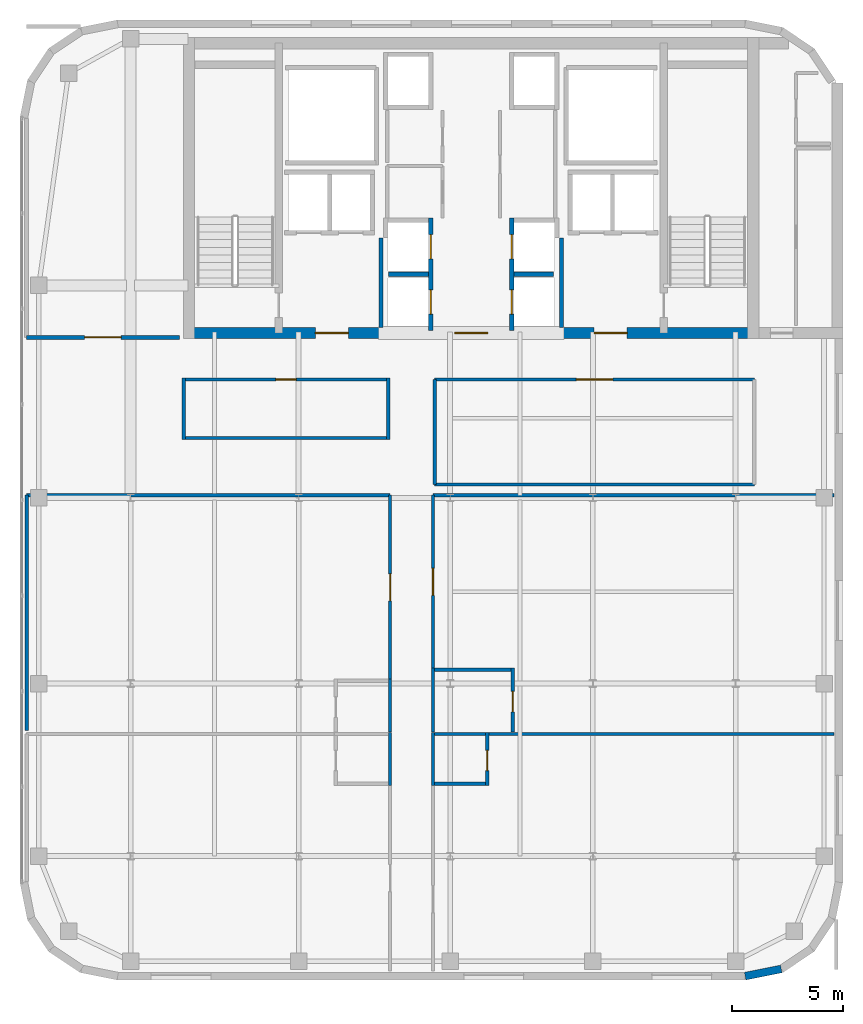
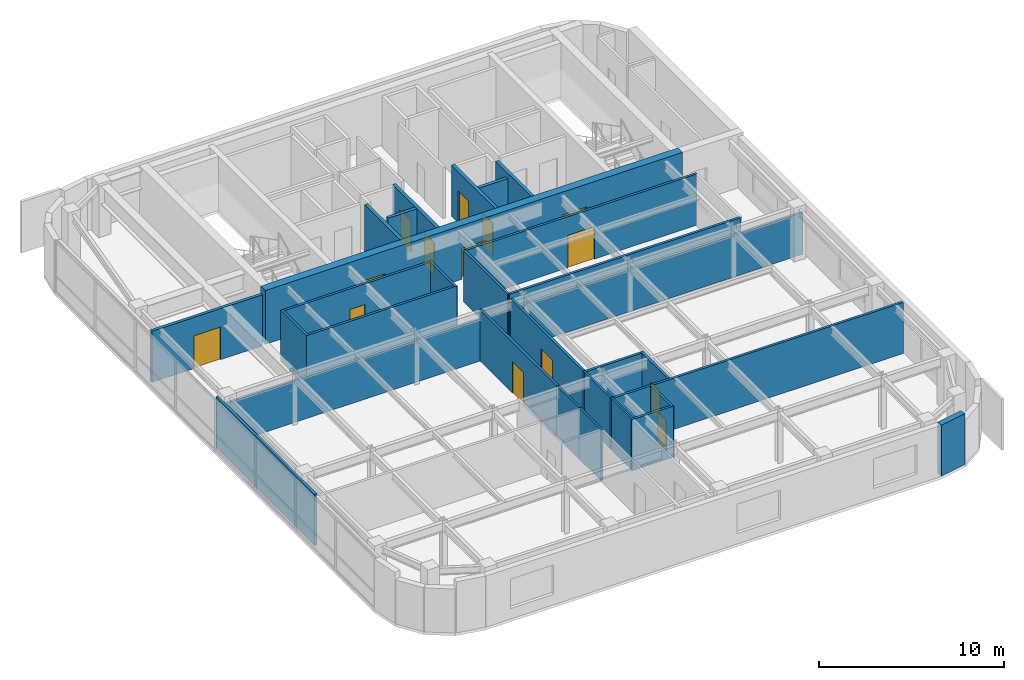
# One storey, part 15 of 19: 30 walls, 14 doors, 14 openings.
"""IFC4 building model written with IfcOpenShell, lengths in metres."""

import ifcopenshell
import ifcopenshell.guid

model = None  # the IFC model being written
_history = None  # IfcOwnerHistory: only IFC2X3 demands one
_inside = {}  # id of a spatial element -> (the spatial element, [elements in it])
_under = {}  # id of a project, library or spatial element -> (it, [spatial elements below it])
_declared = {}  # id of a project -> (the project, [libraries it declares])
_typed = {}  # id of a type object -> (the type object, [elements of that type])
_made_of = {}  # id of a material, layer set ... -> (it, [elements and type objects made of it])


def new_model(schema):
    """Start an empty IFC model of exactly this schema.

    Asked for "IFC4X3", IfcOpenShell would pick the latest addendum, in which some entities
    have other attributes; the version numbers below select the first issue.
    IFC2X3 requires an IfcOwnerHistory on every rooted entity: one is made here for all.
    """
    global model, _history
    if schema == "IFC4X3":
        model = ifcopenshell.file(schema_version=(4, 3, 0, 0))
    else:
        model = ifcopenshell.file(schema=schema)
    _inside.clear()
    _under.clear()
    _declared.clear()
    _typed.clear()
    _made_of.clear()
    _history = None
    if model.schema == "IFC2X3":
        org = make("IfcOrganization", Name="unknown")
        user = make(
            "IfcPersonAndOrganization",
            ThePerson=make("IfcPerson", FamilyName="unknown"),
            TheOrganization=org,
        )
        app = make(
            "IfcApplication",
            ApplicationDeveloper=org,
            Version="unknown",
            ApplicationFullName="unknown",
            ApplicationIdentifier="unknown",
        )
        _history = make(
            "IfcOwnerHistory",
            OwningUser=user,
            OwningApplication=app,
            ChangeAction="ADDED",
            CreationDate=0,
        )
    return model


def make(cls, **values):
    """One entity of the class cls with the attributes given. An attribute that is None is left unset."""
    return model.create_entity(
        cls, **{name: value for name, value in values.items() if value is not None}
    )


def rooted(cls, **values):
    """An entity with a GlobalId (a new one), such as an element, a storey or a relation."""
    return make(cls, GlobalId=ifcopenshell.guid.new(), OwnerHistory=_history, **values)


def si_unit(unit_type, name, prefix=None):
    """IfcSIUnit, for example si_unit("LENGTHUNIT", "METRE", prefix="MILLI")."""
    return make("IfcSIUnit", UnitType=unit_type, Prefix=prefix, Name=name)


def assignment(units):
    """IfcUnitAssignment: the units of a project."""
    return None if units is None else make("IfcUnitAssignment", Units=units)


def point(xyz):
    """IfcCartesianPoint."""
    return None if xyz is None else make("IfcCartesianPoint", Coordinates=xyz)


def direction(xyz):
    """IfcDirection."""
    return None if xyz is None else make("IfcDirection", DirectionRatios=xyz)


def frame(location, z_axis=None, x_axis=None):
    """IfcAxis2Placement3D, a coordinate frame: its origin and axes. An axis left out is left unset."""
    return make(
        "IfcAxis2Placement3D",
        Location=point(location),
        Axis=direction(z_axis),
        RefDirection=direction(x_axis),
    )


def frame_2d(location, x_axis=None):
    """IfcAxis2Placement2D, a coordinate frame in the plane: its origin and x axis."""
    return make(
        "IfcAxis2Placement2D", Location=point(location), RefDirection=direction(x_axis)
    )


def origin():
    """The frame at (0, 0, 0) with its axes left unset."""
    return frame((0.0, 0.0, 0.0))


def place(relative_to, where):
    """IfcLocalPlacement: puts the frame where relative to a parent placement (None: the world)."""
    return make(
        "IfcLocalPlacement", PlacementRelTo=relative_to, RelativePlacement=where
    )


def context(
    kind, dimensions, precision=None, world=None, true_north=None, identifier=None
):
    """IfcGeometricRepresentationContext, for example the 3D "Model" context."""
    return make(
        "IfcGeometricRepresentationContext",
        ContextIdentifier=identifier,
        ContextType=kind,
        CoordinateSpaceDimension=dimensions,
        Precision=precision,
        WorldCoordinateSystem=world,
        TrueNorth=true_north,
    )


def subcontext(parent, identifier, kind, view, scale=None):
    """IfcGeometricRepresentationSubContext, for example "Body" below "Model"."""
    return make(
        "IfcGeometricRepresentationSubContext",
        ContextIdentifier=identifier,
        ContextType=kind,
        ParentContext=parent,
        TargetScale=scale,
        TargetView=view,
    )


def project(units=None, contexts=None):
    """IfcProject with its units and contexts."""
    return rooted(
        "IfcProject",
        Name="project",
        RepresentationContexts=contexts,
        UnitsInContext=assignment(units),
    )


def spatial(cls, under=None, at=None, **own):
    """A site, building, storey or space (cls), placed at a placement, below another one or the project."""
    s = rooted(cls, ObjectPlacement=at, **own)
    if under is not None:
        _under.setdefault(under.id(), (under, []))[1].append(s)
    return s


def profile(cls, at=None, kind="AREA", **sizes):
    """A parametric profile (cls). Its sizes go by their IFC names, for example OverallWidth=200.0."""
    return make(cls, ProfileType=kind, Position=at, **sizes)


def rectangle(**sizes):
    """IfcRectangleProfileDef."""
    return profile("IfcRectangleProfileDef", **sizes)


def extrude(swept, where, along, depth):
    """IfcExtrudedAreaSolid: the profile swept, set in the frame where, extruded along a direction by depth."""
    return make(
        "IfcExtrudedAreaSolid",
        SweptArea=swept,
        Position=where,
        ExtrudedDirection=direction(along),
        Depth=depth,
    )


def shape(context_of_items, identifier, shape_type, items):
    """IfcShapeRepresentation: the items that make up one representation, for example the "Body"."""
    return make(
        "IfcShapeRepresentation",
        ContextOfItems=context_of_items,
        RepresentationIdentifier=identifier,
        RepresentationType=shape_type,
        Items=items,
    )


def source(mapping_origin, context_of_items, identifier, shape_type, items):
    """IfcRepresentationMap: a shape defined once, which mapped items show again and again."""
    return make(
        "IfcRepresentationMap",
        MappingOrigin=mapping_origin,
        MappedRepresentation=shape(context_of_items, identifier, shape_type, items),
    )


def transform(
    local_origin,
    x_axis=None,
    y_axis=None,
    z_axis=None,
    scale=None,
    scale2=None,
    scale3=None,
    uniform=True,
):
    """IfcCartesianTransformationOperator3D, or its non-uniform kind. x_axis, y_axis, z_axis: its Axis1, 2, 3."""
    if uniform:
        return make(
            "IfcCartesianTransformationOperator3D",
            Axis1=direction(x_axis),
            Axis2=direction(y_axis),
            LocalOrigin=point(local_origin),
            Scale=scale,
            Axis3=direction(z_axis),
        )
    return make(
        "IfcCartesianTransformationOperator3DnonUniform",
        Axis1=direction(x_axis),
        Axis2=direction(y_axis),
        LocalOrigin=point(local_origin),
        Scale=scale,
        Axis3=direction(z_axis),
        Scale2=scale2,
        Scale3=scale3,
    )


def mapped(mapping_source, mapping_target):
    """IfcMappedItem: shows the shape of a source again, moved by a transform."""
    return make(
        "IfcMappedItem", MappingSource=mapping_source, MappingTarget=mapping_target
    )


def material(Name=None, Category=None):
    """IfcMaterial."""
    return make("IfcMaterial", Name=Name, Category=Category)


def layer(
    of_material, thickness, ventilated=None, Name=None, Category=None, Priority=None
):
    """IfcMaterialLayer: one layer of a wall or slab, of a material (None: an air gap)."""
    return make(
        "IfcMaterialLayer",
        Material=of_material,
        LayerThickness=thickness,
        IsVentilated=ventilated,
        Name=Name,
        Category=Category,
        Priority=Priority,
    )


def layer_set(layers, Name=None):
    """IfcMaterialLayerSet."""
    return make("IfcMaterialLayerSet", MaterialLayers=layers, LayerSetName=Name)


def made_of(thing, what):
    """Note that an element or type object is made of a material, layer set ...; save() writes the relation."""
    if what is not None:
        _made_of.setdefault(what.id(), (what, []))[1].append(thing)
    return thing


def type_object(cls, material=None, **own):
    """A type object (cls), such as IfcWallType, which elements share."""
    return made_of(rooted(cls, **own), material)


def type_shapes(of_type, sources):
    """Give a type object the sources (RepresentationMaps) that its elements show as mapped items."""
    of_type.RepresentationMaps = sources


def element(
    cls,
    number,
    at=None,
    inside=None,
    cuts=None,
    type_object=None,
    material=None,
    context=None,
    identifier="Body",
    shape_type=None,
    held_by="IfcProductDefinitionShape",
    body=None,
    shapes=None,
    **own,
):
    """One element of the class cls, such as IfcWall. Its Tag is "e" and its number.

    at: its placement. inside: the storey or other place that contains it. cuts: it is an
    opening in that element (IfcRelVoidsElement). A single representation is given by context,
    identifier, shape_type and body (its items); several are given by shapes. held_by: the class
    of the entity that holds the representations. save() writes the other relations.
    """
    e = rooted(cls, Tag="e%d" % number, ObjectPlacement=at, **own)
    if body is not None:
        shapes = [shape(context, identifier, shape_type, body)]
    if shapes is not None:
        e.Representation = make(held_by, Representations=shapes)
    if inside is not None:
        _inside.setdefault(inside.id(), (inside, []))[1].append(e)
    if cuts is not None:
        rooted(
            "IfcRelVoidsElement", RelatingBuildingElement=cuts, RelatedOpeningElement=e
        )
    if type_object is not None:
        _typed.setdefault(type_object.id(), (type_object, []))[1].append(e)
    return made_of(e, material)


def fill(opening, filler):
    """IfcRelFillsElement: the door or window that sits in an opening."""
    return rooted(
        "IfcRelFillsElement",
        RelatingOpeningElement=opening,
        RelatedBuildingElement=filler,
    )


def aggregate(whole, parts):
    """IfcRelAggregates: a whole, such as a stair, and the parts it consists of."""
    return rooted("IfcRelAggregates", RelatingObject=whole, RelatedObjects=parts)


def save(model, path):
    """Write the relations noted so far, then the file.

    IfcRelAggregates (storeys below a building ...), IfcRelContainedInSpatialStructure (elements
    in a storey), IfcRelDefinesByType, IfcRelAssociatesMaterial and IfcRelDeclares: one each for
    every whole, place, type object, material and project.
    """
    for whole, parts in _under.values():
        aggregate(whole, parts)
    for where, things in _inside.values():
        rooted(
            "IfcRelContainedInSpatialStructure",
            RelatedElements=things,
            RelatingStructure=where,
        )
    for kind, things in _typed.values():
        rooted("IfcRelDefinesByType", RelatedObjects=things, RelatingType=kind)
    for what, things in _made_of.values():
        rooted("IfcRelAssociatesMaterial", RelatedObjects=things, RelatingMaterial=what)
    for by, libraries in _declared.values():
        rooted("IfcRelDeclares", RelatingContext=by, RelatedDefinitions=libraries)
    model.write(path)


model = new_model("IFC4")

# Units and contexts
model_context = context("Model", 3, precision=1e-05, world=origin(), true_north=direction((0.0, 1.0)))
body_context = subcontext(model_context, "Body", "Model", "MODEL_VIEW")
ifc_project = project(units=[si_unit("LENGTHUNIT", "METRE"), si_unit("AREAUNIT", "SQUARE_METRE"), si_unit("VOLUMEUNIT", "CUBIC_METRE"), si_unit("PLANEANGLEUNIT", "RADIAN"), si_unit("MASSUNIT", "GRAM", prefix="KILO")], contexts=[model_context])

# Site, building, storey
site_placement = place(None, origin())
site = spatial("IfcSite", under=ifc_project, at=site_placement, CompositionType="ELEMENT")
building_placement = place(site_placement, origin())
building = spatial("IfcBuilding", under=site, at=building_placement, Name="Tolvann Quenvar Hotel", CompositionType="ELEMENT")
storey_placement = place(building_placement, frame((0.0, 0.0, 223.89990234375)))
storey = spatial("IfcBuildingStorey", under=building, at=storey_placement, Name="L59", CompositionType="ELEMENT", Elevation=223.89990234375)

# Wall, openings, doors
ifc_material_1 = material(Name="Concrete N50 (50 MPa)", Category="concrete")
ifc_layer_1 = layer(ifc_material_1, 0.5)
ifc_layer_set_1 = layer_set([ifc_layer_1], Name="Concrete N50 (50 MPa)")
wall_type_1 = type_object("IfcWallType", Name="WALL_CORE_500", PredefinedType="SHEAR", material=ifc_layer_set_1)
wall_1_placement = place(storey_placement, frame((10.0, 31.85009765625, 0.0), z_axis=(0.0, 0.0, 1.0), x_axis=(1.0, 0.0, 0.0)))
wall_1 = element("IfcWall", 1, at=wall_1_placement, inside=storey, type_object=wall_type_1, Name="Rear Core S Shear Wall (L59)", PredefinedType="SHEAR", context=body_context, shape_type="SweptSolid", body=[
    extrude(rectangle(XDim=26.0, YDim=0.5, at=frame_2d((13.0, 0.0))), origin(), (0.0, 0.0, 1.0), 3.550048828125),
])
opening_1_placement = place(wall_1_placement, frame((7.449951171875, 0.0, 0.0), z_axis=(0.0, 0.0, 1.0), x_axis=(-1.0, 0.0, 0.0)))
opening_1 = element("IfcOpeningElement", 2, at=opening_1_placement, cuts=wall_1, Name="Opening FD-60D", PredefinedType="OPENING", context=body_context, shape_type="SweptSolid", body=[
    extrude(rectangle(XDim=1.5, YDim=2.0400390625, at=frame_2d((0.75, 1.02001953125))), frame((0.0, 0.260009765625, 0.0), z_axis=(0.0, -1.0, 0.0), x_axis=(1.0, 0.0, 0.0)), (0.0, 0.0, 1.0), 0.52001953125),
])
opening_2_placement = place(wall_1_placement, frame((13.75, 0.0, 0.0), z_axis=(0.0, 0.0, 1.0), x_axis=(-1.0, 0.0, 0.0)))
opening_2 = element("IfcOpeningElement", 3, at=opening_2_placement, cuts=wall_1, Name="Opening FD-60D", PredefinedType="OPENING", context=body_context, shape_type="SweptSolid", body=[
    extrude(rectangle(XDim=1.5, YDim=2.0400390625, at=frame_2d((0.75, 1.02001953125))), frame((0.0, 0.260009765625, 0.0), z_axis=(0.0, -1.0, 0.0), x_axis=(1.0, 0.0, 0.0)), (0.0, 0.0, 1.0), 0.52001953125),
])
opening_3_placement = place(wall_1_placement, frame((20.050048828125, 0.0, 0.0), z_axis=(0.0, 0.0, 1.0), x_axis=(-1.0, 0.0, 0.0)))
opening_3 = element("IfcOpeningElement", 4, at=opening_3_placement, cuts=wall_1, Name="Opening FD-60D", PredefinedType="OPENING", context=body_context, shape_type="SweptSolid", body=[
    extrude(rectangle(XDim=1.5, YDim=2.0400390625, at=frame_2d((0.75, 1.02001953125))), frame((0.0, 0.260009765625, 0.0), z_axis=(0.0, -1.0, 0.0), x_axis=(1.0, 0.0, 0.0)), (0.0, 0.0, 1.0), 0.52001953125),
])
ifc_material_2 = material(Name="Solid-core American oak acoustic fire door leaf in steel frame", Category="steel")
door_type_1 = type_object("IfcDoorType", Name="DOOR_FIRE_LOBBY_1500", OperationType="NOTDEFINED", PredefinedType="DOOR", material=ifc_material_2)
shared_shape_1 = source(origin(), body_context, "Body", "SweptSolid", [
    extrude(rectangle(XDim=1.5, YDim=2.0400390625, at=frame_2d((0.75, 1.02001953125))), frame((0.0, 0.02490234375, 0.0), z_axis=(0.0, -1.0, 0.0), x_axis=(1.0, 0.0, 0.0)), (0.0, 0.0, 1.0), 0.050048828125),
])
type_shapes(door_type_1, [shared_shape_1])
door_1_placement = place(opening_1_placement, origin())
door_1 = element("IfcDoor", 5, at=door_1_placement, inside=storey, type_object=door_type_1, Name="Core Lobby Fire Door FFW (L59)", OperationType="DOUBLE_DOOR_SINGLE_SWING", OverallHeight=2.0400390625, OverallWidth=1.5, PredefinedType="DOOR", context=body_context, shape_type="MappedRepresentation", body=[
    mapped(shared_shape_1, transform((0.0, 0.0, 0.0), x_axis=(1.0, 0.0, 0.0), y_axis=(0.0, 1.0, 0.0), z_axis=(0.0, 0.0, 1.0), scale=1.0)),
])
fill(opening_1, door_1)
door_2_placement = place(opening_2_placement, origin())
door_2 = element("IfcDoor", 6, at=door_2_placement, inside=storey, type_object=door_type_1, Name="Core Lobby Fire Door CLOB (L59)", OperationType="DOUBLE_DOOR_SINGLE_SWING", OverallHeight=2.0400390625, OverallWidth=1.5, PredefinedType="DOOR", context=body_context, shape_type="MappedRepresentation", body=[
    mapped(shared_shape_1, transform((0.0, 0.0, 0.0), x_axis=(1.0, 0.0, 0.0), y_axis=(0.0, 1.0, 0.0), z_axis=(0.0, 0.0, 1.0), scale=1.0)),
])
fill(opening_2, door_2)
door_3_placement = place(opening_3_placement, origin())
door_3 = element("IfcDoor", 7, at=door_3_placement, inside=storey, type_object=door_type_1, Name="Core Lobby Fire Door FFE (L59)", OperationType="DOUBLE_DOOR_SINGLE_SWING", OverallHeight=2.0400390625, OverallWidth=1.5, PredefinedType="DOOR", context=body_context, shape_type="MappedRepresentation", body=[
    mapped(shared_shape_1, transform((0.0, 0.0, 0.0), x_axis=(1.0, 0.0, 0.0), y_axis=(0.0, 1.0, 0.0), z_axis=(0.0, 0.0, 1.0), scale=1.0)),
])
fill(opening_3, door_3)

# Wall
ifc_material_3 = material(Name="Kiln-fired red and buff architectural clay brickwork and terracotta masonry", Category="masonry")
ifc_layer_2 = layer(ifc_material_3, 0.35009765625)
ifc_layer_set_2 = layer_set([ifc_layer_2], Name="Kiln-fired red and buff architectural clay brickwork and terracotta masonry")
wall_type_2 = type_object("IfcWallType", Name="WALL_EXT_BRICK_350", PredefinedType="SOLIDWALL", material=ifc_layer_set_2)
wall_2_placement = place(storey_placement, frame((35.3828125, 2.77490234375, 0.0), z_axis=(0.0, 0.0, 1.0), x_axis=(0.980788844421, 0.195072403631, 0.0)))
element("IfcWall", 8, at=wall_2_placement, inside=storey, type_object=wall_type_2, Name="Exterior Chicago Brick Wall L59-E05", PredefinedType="SOLIDWALL", context=body_context, shape_type="SweptSolid", body=[
    extrude(rectangle(XDim=1.66455078125, YDim=0.35009765625, at=frame_2d((0.832275390625, 0.0))), origin(), (0.0, 0.0, 1.0), 3.3701171875),
])

# Wall, opening, door
ifc_material_4 = material(Name="Acoustic twin-stud fire-rated gypsum plasterboard partition")
ifc_layer_3 = layer(ifc_material_4, 0.179931640625)
ifc_layer_set_3 = layer_set([ifc_layer_3], Name="Acoustic twin-stud fire-rated gypsum plasterboard partition")
wall_type_3 = type_object("IfcWallType", Name="WALL_PART_ACOUSTIC_180", PredefinedType="PARTITIONING", material=ifc_layer_set_3)
wall_3_placement = place(storey_placement, frame((2.89990234375, 31.64990234375, 0.0), z_axis=(0.0, 0.0, 1.0), x_axis=(1.0, 0.0, 0.0)))
wall_3 = element("IfcWall", 9, at=wall_3_placement, inside=storey, type_object=wall_type_3, Name="Interior Partition PT-SPC-L59-SAL-S", PredefinedType="PARTITIONING", context=body_context, shape_type="SweptSolid", body=[
    extrude(rectangle(XDim=6.900146484375, YDim=0.179931640625, at=frame_2d((3.4501953125, 0.0))), origin(), (0.0, 0.0, 1.0), 3.3701171875),
])
opening_4_placement = place(wall_3_placement, frame((2.625, 0.0, 0.0)))
opening_4 = element("IfcOpeningElement", 10, at=opening_4_placement, cuts=wall_3, Name="Opening AD-01", PredefinedType="OPENING", context=body_context, shape_type="SweptSolid", body=[
    extrude(rectangle(XDim=1.64990234375, YDim=2.14990234375, at=frame_2d((0.824951171875, 1.074951171875))), frame((0.0, 0.10009765625, 0.0), z_axis=(0.0, -1.0, 0.0), x_axis=(1.0, 0.0, 0.0)), (0.0, 0.0, 1.0), 0.199951171875),
])
door_type_2 = type_object("IfcDoorType", Name="DOOR_SALON_1650", OperationType="NOTDEFINED", PredefinedType="DOOR", material=ifc_material_2)
shared_shape_2 = source(origin(), body_context, "Body", "SweptSolid", [
    extrude(rectangle(XDim=1.64990234375, YDim=2.14990234375, at=frame_2d((0.824951171875, 1.074951171875))), frame((0.0, 0.02490234375, 0.0), z_axis=(0.0, -1.0, 0.0), x_axis=(1.0, 0.0, 0.0)), (0.0, 0.0, 1.0), 0.050048828125),
])
type_shapes(door_type_2, [shared_shape_2])
door_4_placement = place(opening_4_placement, origin())
door_4 = element("IfcDoor", 11, at=door_4_placement, inside=storey, type_object=door_type_2, Name="Interior Door DOOR-SPC-L59-SAL", OperationType="DOUBLE_DOOR_SINGLE_SWING", OverallHeight=2.14990234375, OverallWidth=1.64990234375, PredefinedType="DOOR", context=body_context, shape_type="MappedRepresentation", body=[
    mapped(shared_shape_2, transform((0.0, 0.0, 0.0), x_axis=(1.0, 0.0, 0.0), y_axis=(0.0, 1.0, 0.0), z_axis=(0.0, 0.0, 1.0), scale=1.0)),
])
fill(opening_4, door_4)

# Walls
ifc_material_5 = material(Name="Moisture-resistant acoustic plumbing wall assembly")
ifc_layer_4 = layer(ifc_material_5, 0.1201171875)
ifc_layer_set_4 = layer_set([ifc_layer_4], Name="Moisture-resistant acoustic plumbing wall assembly")
wall_type_4 = type_object("IfcWallType", Name="WALL_PART_BATH_120", PredefinedType="PLUMBINGWALL", material=ifc_layer_set_4)
wall_4_placement = place(storey_placement, frame((19.330078125, 11.39990234375, 0.0), z_axis=(0.0, 0.0, 1.0), x_axis=(0.0, 1.0, 0.0)))
element("IfcWall", 12, at=wall_4_placement, inside=storey, type_object=wall_type_4, Name="Non-Rated Plumbing Partition PT-SPC-L59-ENS-WO01-E", PredefinedType="PLUMBINGWALL", context=body_context, shape_type="SweptSolid", body=[
    extrude(rectangle(XDim=2.39013671875, YDim=0.1201171875, at=frame_2d((1.195068359375, 0.0))), origin(), (0.0, 0.0, 1.0), 3.3701171875),
])
wall_5_placement = place(storey_placement, frame((19.330078125, 13.81005859375, 0.0), z_axis=(0.0, 0.0, 1.0), x_axis=(0.0, 1.0, 0.0)))
element("IfcWall", 13, at=wall_5_placement, inside=storey, type_object=wall_type_4, Name="Non-Rated Plumbing Partition PT-SPC-L59-ENS-WO02-E", PredefinedType="PLUMBINGWALL", context=body_context, shape_type="SweptSolid", body=[
    extrude(rectangle(XDim=2.389892578125, YDim=0.1201171875, at=frame_2d((1.19482421875, 0.0))), origin(), (0.0, 0.0, 1.0), 3.3701171875),
])
wall_6_placement = place(storey_placement, frame((21.27001953125, 11.39990234375, 0.0), z_axis=(0.0, 0.0, 1.0), x_axis=(0.0, 1.0, 0.0)))
element("IfcWall", 14, at=wall_6_placement, inside=storey, type_object=wall_type_4, Name="Non-Rated Plumbing Partition PT-SPC-L59-ENS-EO01-W", PredefinedType="PLUMBINGWALL", context=body_context, shape_type="SweptSolid", body=[
    extrude(rectangle(XDim=2.39013671875, YDim=0.1201171875, at=frame_2d((1.195068359375, 0.0))), origin(), (0.0, 0.0, 1.0), 3.3701171875),
])
wall_7_placement = place(storey_placement, frame((21.27001953125, 13.81005859375, 0.0), z_axis=(0.0, 0.0, 1.0), x_axis=(0.0, 1.0, 0.0)))
element("IfcWall", 15, at=wall_7_placement, inside=storey, type_object=wall_type_4, Name="Non-Rated Plumbing Partition PT-SPC-L59-ENS-EO02-W", PredefinedType="PLUMBINGWALL", context=body_context, shape_type="SweptSolid", body=[
    extrude(rectangle(XDim=2.889892578125, YDim=0.1201171875, at=frame_2d((1.44482421875, 0.0))), origin(), (0.0, 0.0, 1.0), 3.3701171875),
])

# Wall, opening, door
ifc_layer_5 = layer(ifc_material_4, 0.14990234375)
ifc_layer_set_5 = layer_set([ifc_layer_5], Name="Acoustic twin-stud fire-rated gypsum plasterboard partition")
wall_type_5 = type_object("IfcWallType", Name="WALL_PART_SUITE_150", PredefinedType="PARTITIONING", material=ifc_layer_set_5)
wall_8_placement = place(storey_placement, frame((23.719970703125, 11.39990234375, 0.0), z_axis=(0.0, 0.0, 1.0), x_axis=(0.0, 1.0, 0.0)))
wall_8 = element("IfcWall", 16, at=wall_8_placement, inside=storey, type_object=wall_type_5, Name="Interior Partition PT-SPC-L59-ENS-EO01-ENT", PredefinedType="PARTITIONING", context=body_context, shape_type="SweptSolid", body=[
    extrude(rectangle(XDim=2.39013671875, YDim=0.14990234375, at=frame_2d((1.195068359375, 0.0))), origin(), (0.0, 0.0, 1.0), 3.3701171875),
])
opening_5_placement = place(wall_8_placement, frame((0.6650390625, 0.0, 0.0)))
opening_5 = element("IfcOpeningElement", 17, at=opening_5_placement, cuts=wall_8, Name="Opening WD-01", PredefinedType="OPENING", context=body_context, shape_type="SweptSolid", body=[
    extrude(rectangle(XDim=0.919921875, YDim=2.010009765625, at=frame_2d((0.4599609375, 1.0048828125))), frame((0.0, 0.0849609375, 0.0), z_axis=(0.0, -1.0, 0.0), x_axis=(1.0, 0.0, 0.0)), (0.0, 0.0, 1.0), 0.169921875),
])
door_type_3 = type_object("IfcDoorType", Name="DOOR_WC_920", OperationType="NOTDEFINED", PredefinedType="DOOR", material=ifc_material_2)
shared_shape_3 = source(origin(), body_context, "Body", "SweptSolid", [
    extrude(rectangle(XDim=0.919921875, YDim=2.010009765625, at=frame_2d((0.4599609375, 1.0048828125))), frame((0.0, 0.02490234375, 0.0), z_axis=(0.0, -1.0, 0.0), x_axis=(1.0, 0.0, 0.0)), (0.0, 0.0, 1.0), 0.050048828125),
])
type_shapes(door_type_3, [shared_shape_3])
door_5_placement = place(opening_5_placement, origin())
door_5 = element("IfcDoor", 18, at=door_5_placement, inside=storey, type_object=door_type_3, Name="Interior Door DOOR-SPC-L59-ENS-EO01", OperationType="SINGLE_SWING_RIGHT", OverallHeight=2.010009765625, OverallWidth=0.919921875, PredefinedType="DOOR", context=body_context, shape_type="MappedRepresentation", body=[
    mapped(shared_shape_3, transform((0.0, 0.0, 0.0), x_axis=(1.0, 0.0, 0.0), y_axis=(0.0, 1.0, 0.0), z_axis=(0.0, 0.0, 1.0), scale=1.0)),
])
fill(opening_5, door_5)

# Walls
wall_9_placement = place(storey_placement, frame((21.199951171875, 11.469970703125, 0.0), z_axis=(0.0, 0.0, 1.0), x_axis=(1.0, 0.0, 0.0)))
element("IfcWall", 19, at=wall_9_placement, inside=storey, type_object=wall_type_5, Name="Interior Partition PT-SPC-L59-ENS-EO01-S", PredefinedType="PARTITIONING", context=body_context, shape_type="SweptSolid", body=[
    extrude(rectangle(XDim=2.590087890625, YDim=0.14990234375, at=frame_2d((1.294921875, 0.0))), origin(), (0.0, 0.0, 1.0), 3.3701171875),
])
wall_10_placement = place(storey_placement, frame((21.199951171875, 13.719970703125, 0.0), z_axis=(0.0, 0.0, 1.0), x_axis=(1.0, 0.0, 0.0)))
element("IfcWall", 20, at=wall_10_placement, inside=storey, type_object=wall_type_5, Name="Interior Partition PT-SPC-L59-ENS-EO01-N", PredefinedType="PARTITIONING", context=body_context, shape_type="SweptSolid", body=[
    extrude(rectangle(XDim=18.195068359375, YDim=0.14990234375, at=frame_2d((9.09765625, 0.0))), origin(), (0.0, 0.0, 1.0), 3.3701171875),
])

# Wall, opening, door
wall_11_placement = place(storey_placement, frame((24.8701171875, 13.81005859375, 0.0), z_axis=(0.0, 0.0, 1.0), x_axis=(0.0, 1.0, 0.0)))
wall_11 = element("IfcWall", 21, at=wall_11_placement, inside=storey, type_object=wall_type_5, Name="Interior Partition PT-SPC-L59-ENS-EO02-ENT", PredefinedType="PARTITIONING", context=body_context, shape_type="SweptSolid", body=[
    extrude(rectangle(XDim=2.889892578125, YDim=0.14990234375, at=frame_2d((1.44482421875, 0.0))), origin(), (0.0, 0.0, 1.0), 3.3701171875),
])
opening_6_placement = place(wall_11_placement, frame((0.9150390625, 0.0, 0.0)))
opening_6 = element("IfcOpeningElement", 22, at=opening_6_placement, cuts=wall_11, Name="Opening WD-01", PredefinedType="OPENING", context=body_context, shape_type="SweptSolid", body=[
    extrude(rectangle(XDim=0.919921875, YDim=2.010009765625, at=frame_2d((0.4599609375, 1.0048828125))), frame((0.0, 0.0849609375, 0.0), z_axis=(0.0, -1.0, 0.0), x_axis=(1.0, 0.0, 0.0)), (0.0, 0.0, 1.0), 0.169921875),
])
door_6_placement = place(opening_6_placement, origin())
door_6 = element("IfcDoor", 23, at=door_6_placement, inside=storey, type_object=door_type_3, Name="Interior Door DOOR-SPC-L59-ENS-EO02", OperationType="SINGLE_SWING_LEFT", OverallHeight=2.010009765625, OverallWidth=0.919921875, PredefinedType="DOOR", context=body_context, shape_type="MappedRepresentation", body=[
    mapped(shared_shape_3, transform((0.0, 0.0, 0.0), x_axis=(1.0, 0.0, 0.0), y_axis=(0.0, 1.0, 0.0), z_axis=(0.0, 0.0, 1.0), scale=1.0)),
])
fill(opening_6, door_6)

# Wall
wall_12_placement = place(storey_placement, frame((21.199951171875, 16.6298828125, 0.0), z_axis=(0.0, 0.0, 1.0), x_axis=(1.0, 0.0, 0.0)))
element("IfcWall", 24, at=wall_12_placement, inside=storey, type_object=wall_type_5, Name="Interior Partition PT-SPC-L59-ENS-EO02-N", PredefinedType="PARTITIONING", context=body_context, shape_type="SweptSolid", body=[
    extrude(rectangle(XDim=3.739990234375, YDim=0.14990234375, at=frame_2d((1.8701171875, 0.0))), origin(), (0.0, 0.0, 1.0), 3.3701171875),
])

# Wall, opening, door
wall_13_placement = place(storey_placement, frame((19.330078125, 16.2099609375, 0.0), z_axis=(0.0, 0.0, 1.0), x_axis=(0.0, 1.0, 0.0)))
wall_13 = element("IfcWall", 25, at=wall_13_placement, inside=storey, type_object=wall_type_5, Name="Interior Partition PT-SPC-L59-RM-WO02-ENT", PredefinedType="PARTITIONING", context=body_context, shape_type="SweptSolid", body=[
    extrude(rectangle(XDim=8.31005859375, YDim=0.14990234375, at=frame_2d((4.155029296875, 0.0))), origin(), (0.0, 0.0, 1.0), 3.3701171875),
])
opening_7_placement = place(wall_13_placement, frame((3.52490234375, 0.0, 0.0)))
opening_7 = element("IfcOpeningElement", 26, at=opening_7_placement, cuts=wall_13, Name="Opening SD-02", PredefinedType="OPENING", context=body_context, shape_type="SweptSolid", body=[
    extrude(rectangle(XDim=1.219970703125, YDim=2.080078125, at=frame_2d((0.60986328125, 1.0400390625))), frame((0.0, 0.0849609375, 0.0), z_axis=(0.0, -1.0, 0.0), x_axis=(1.0, 0.0, 0.0)), (0.0, 0.0, 1.0), 0.169921875),
])
door_type_4 = type_object("IfcDoorType", Name="DOOR_VIP_1220", OperationType="NOTDEFINED", PredefinedType="DOOR", material=ifc_material_2)
shared_shape_4 = source(origin(), body_context, "Body", "SweptSolid", [
    extrude(rectangle(XDim=1.219970703125, YDim=2.080078125, at=frame_2d((0.60986328125, 1.0400390625))), frame((0.0, 0.02490234375, 0.0), z_axis=(0.0, -1.0, 0.0), x_axis=(1.0, 0.0, 0.0)), (0.0, 0.0, 1.0), 0.050048828125),
])
type_shapes(door_type_4, [shared_shape_4])
door_7_placement = place(opening_7_placement, origin())
door_7 = element("IfcDoor", 27, at=door_7_placement, inside=storey, type_object=door_type_4, Name="Interior Door DOOR-SPC-L59-RM-WO02", OperationType="SINGLE_SWING_RIGHT", OverallHeight=2.080078125, OverallWidth=1.219970703125, PredefinedType="DOOR", context=body_context, shape_type="MappedRepresentation", body=[
    mapped(shared_shape_4, transform((0.0, 0.0, 0.0), x_axis=(1.0, 0.0, 0.0), y_axis=(0.0, 1.0, 0.0), z_axis=(0.0, 0.0, 1.0), scale=1.0)),
])
fill(opening_7, door_7)

# Walls
wall_14_placement = place(storey_placement, frame((2.89990234375, 24.52001953125, 0.0), z_axis=(0.0, 0.0, 1.0), x_axis=(1.0, 0.0, 0.0)))
element("IfcWall", 28, at=wall_14_placement, inside=storey, type_object=wall_type_5, Name="Interior Partition PT-SPC-L59-RM-WO02-E5", PredefinedType="PARTITIONING", context=body_context, shape_type="SweptSolid", body=[
    extrude(rectangle(XDim=16.43017578125, YDim=0.14990234375, at=frame_2d((8.215087890625, 0.0))), origin(), (0.0, 0.0, 1.0), 2.758056640625),
])
wall_15_placement = place(storey_placement, frame((2.89990234375, 13.8798828125, 0.0), z_axis=(0.0, 0.0, 1.0), x_axis=(0.0, 1.0, 0.0)))
element("IfcWall", 29, at=wall_15_placement, inside=storey, type_object=wall_type_5, Name="Interior Partition PT-SPC-L59-RM-WO02-E6", PredefinedType="PARTITIONING", context=body_context, shape_type="SweptSolid", body=[
    extrude(rectangle(XDim=10.64013671875, YDim=0.14990234375, at=frame_2d((5.320068359375, 0.0))), origin(), (0.0, 0.0, 1.0), 3.3701171875),
])

# Wall, opening, door
wall_16_placement = place(storey_placement, frame((21.27001953125, 16.7099609375, 0.0), z_axis=(0.0, 0.0, 1.0), x_axis=(0.0, 1.0, 0.0)))
wall_16 = element("IfcWall", 30, at=wall_16_placement, inside=storey, type_object=wall_type_5, Name="Interior Partition PT-SPC-L59-RM-EO02-ENT", PredefinedType="PARTITIONING", context=body_context, shape_type="SweptSolid", body=[
    extrude(rectangle(XDim=7.81005859375, YDim=0.14990234375, at=frame_2d((3.905029296875, 0.0))), origin(), (0.0, 0.0, 1.0), 3.3701171875),
])
opening_8_placement = place(wall_16_placement, frame((3.27490234375, 0.0, 0.0)))
opening_8 = element("IfcOpeningElement", 31, at=opening_8_placement, cuts=wall_16, Name="Opening SD-02", PredefinedType="OPENING", context=body_context, shape_type="SweptSolid", body=[
    extrude(rectangle(XDim=1.219970703125, YDim=2.080078125, at=frame_2d((0.60986328125, 1.0400390625))), frame((0.0, 0.0849609375, 0.0), z_axis=(0.0, -1.0, 0.0), x_axis=(1.0, 0.0, 0.0)), (0.0, 0.0, 1.0), 0.169921875),
])
door_8_placement = place(opening_8_placement, origin())
door_8 = element("IfcDoor", 32, at=door_8_placement, inside=storey, type_object=door_type_4, Name="Interior Door DOOR-SPC-L59-RM-EO02", OperationType="SINGLE_SWING_RIGHT", OverallHeight=2.080078125, OverallWidth=1.219970703125, PredefinedType="DOOR", context=body_context, shape_type="MappedRepresentation", body=[
    mapped(shared_shape_4, transform((0.0, 0.0, 0.0), x_axis=(1.0, 0.0, 0.0), y_axis=(0.0, 1.0, 0.0), z_axis=(0.0, 0.0, 1.0), scale=1.0)),
])
fill(opening_8, door_8)

# Walls
wall_17_placement = place(storey_placement, frame((21.27001953125, 24.52001953125, 0.0), z_axis=(0.0, 0.0, 1.0), x_axis=(1.0, 0.0, 0.0)))
element("IfcWall", 33, at=wall_17_placement, inside=storey, type_object=wall_type_5, Name="Interior Partition PT-SPC-L59-RM-EO02-E5", PredefinedType="PARTITIONING", context=body_context, shape_type="SweptSolid", body=[
    extrude(rectangle(XDim=18.125, YDim=0.14990234375, at=frame_2d((9.0625, 0.0))), origin(), (0.0, 0.0, 1.0), 2.758056640625),
])
wall_18_placement = place(storey_placement, frame((9.929931640625, 27.10009765625, 0.0), z_axis=(0.0, 0.0, 1.0), x_axis=(1.0, 0.0, 0.0)))
element("IfcWall", 34, at=wall_18_placement, inside=storey, type_object=wall_type_5, Name="Interior Partition PT-SPC-L59-WCA-S", PredefinedType="PARTITIONING", context=body_context, shape_type="SweptSolid", body=[
    extrude(rectangle(XDim=9.39013671875, YDim=0.14990234375, at=frame_2d((4.695068359375, 0.0))), origin(), (0.0, 0.0, 1.0), 3.3701171875),
])

# Wall, opening, door
wall_19_placement = place(storey_placement, frame((9.929931640625, 29.75, 0.0), z_axis=(0.0, 0.0, 1.0), x_axis=(1.0, 0.0, 0.0)))
wall_19 = element("IfcWall", 35, at=wall_19_placement, inside=storey, type_object=wall_type_5, Name="Interior Partition PT-SPC-L59-WCA-N", PredefinedType="PARTITIONING", context=body_context, shape_type="SweptSolid", body=[
    extrude(rectangle(XDim=9.39013671875, YDim=0.14990234375, at=frame_2d((4.695068359375, 0.0))), origin(), (0.0, 0.0, 1.0), 3.3701171875),
])
opening_9_placement = place(wall_19_placement, frame((4.235107421875, 0.0, 0.0)))
opening_9 = element("IfcOpeningElement", 36, at=opening_9_placement, cuts=wall_19, Name="Opening WD-01", PredefinedType="OPENING", context=body_context, shape_type="SweptSolid", body=[
    extrude(rectangle(XDim=0.919921875, YDim=2.010009765625, at=frame_2d((0.4599609375, 1.0048828125))), frame((0.0, 0.0849609375, 0.0), z_axis=(0.0, -1.0, 0.0), x_axis=(1.0, 0.0, 0.0)), (0.0, 0.0, 1.0), 0.169921875),
])
door_9_placement = place(opening_9_placement, origin())
door_9 = element("IfcDoor", 37, at=door_9_placement, inside=storey, type_object=door_type_3, Name="Interior Door DOOR-SPC-L59-WCA", OperationType="SINGLE_SWING_LEFT", OverallHeight=2.010009765625, OverallWidth=0.919921875, PredefinedType="DOOR", context=body_context, shape_type="MappedRepresentation", body=[
    mapped(shared_shape_3, transform((0.0, 0.0, 0.0), x_axis=(1.0, 0.0, 0.0), y_axis=(0.0, 1.0, 0.0), z_axis=(0.0, 0.0, 1.0), scale=1.0)),
])
fill(opening_9, door_9)

# Walls
for number, where, z_axis, x_axis, name in (
    (38, (10.0, 27.030029296875, 0.0), (0.0, 0.0, 1.0), (0.0, 1.0, 0.0), "Interior Partition PT-SPC-L59-WCA-W"),
    (39, (19.25, 27.030029296875, 0.0), (0.0, 0.0, 1.0), (0.0, 1.0, 0.0), "Interior Partition PT-SPC-L59-WCA-E"),
):
    element("IfcWall", number, at=place(storey_placement, frame(where, z_axis=z_axis, x_axis=x_axis)), inside=storey, type_object=wall_type_5, Name=name, PredefinedType="PARTITIONING", context=body_context, shape_type="SweptSolid", body=[
        extrude(rectangle(XDim=2.7900390625, YDim=0.14990234375, at=frame_2d((1.39501953125, 0.0))), origin(), (0.0, 0.0, 1.0), 3.3701171875),
    ])
wall_20_placement = place(storey_placement, frame((21.35009765625, 25.0, 0.0), z_axis=(0.0, 0.0, 1.0), x_axis=(1.0, 0.0, 0.0)))
element("IfcWall", 40, at=wall_20_placement, inside=storey, type_object=wall_type_5, Name="Interior Partition PT-SPC-L59-LOUNGE-S", PredefinedType="PARTITIONING", context=body_context, shape_type="SweptSolid", body=[
    extrude(rectangle(XDim=14.449951171875, YDim=0.14990234375, at=frame_2d((7.22509765625, 0.0))), origin(), (0.0, 0.0, 1.0), 3.3701171875),
])

# Wall, opening, door
wall_21_placement = place(storey_placement, frame((21.35009765625, 29.75, 0.0), z_axis=(0.0, 0.0, 1.0), x_axis=(1.0, 0.0, 0.0)))
wall_21 = element("IfcWall", 41, at=wall_21_placement, inside=storey, type_object=wall_type_5, Name="Interior Partition PT-SPC-L59-LOUNGE-N", PredefinedType="PARTITIONING", context=body_context, shape_type="SweptSolid", body=[
    extrude(rectangle(XDim=14.449951171875, YDim=0.14990234375, at=frame_2d((7.22509765625, 0.0))), origin(), (0.0, 0.0, 1.0), 3.3701171875),
])
opening_10_placement = place(wall_21_placement, frame((6.39990234375, 0.0, 0.0)))
opening_10 = element("IfcOpeningElement", 42, at=opening_10_placement, cuts=wall_21, Name="Opening AD-01", PredefinedType="OPENING", context=body_context, shape_type="SweptSolid", body=[
    extrude(rectangle(XDim=1.64990234375, YDim=2.14990234375, at=frame_2d((0.824951171875, 1.074951171875))), frame((0.0, 0.0849609375, 0.0), z_axis=(0.0, -1.0, 0.0), x_axis=(1.0, 0.0, 0.0)), (0.0, 0.0, 1.0), 0.169921875),
])
door_10_placement = place(opening_10_placement, origin())
door_10 = element("IfcDoor", 43, at=door_10_placement, inside=storey, type_object=door_type_2, Name="Interior Door DOOR-SPC-L59-LOUNGE", OperationType="DOUBLE_DOOR_SINGLE_SWING", OverallHeight=2.14990234375, OverallWidth=1.64990234375, PredefinedType="DOOR", context=body_context, shape_type="MappedRepresentation", body=[
    mapped(shared_shape_2, transform((0.0, 0.0, 0.0), x_axis=(1.0, 0.0, 0.0), y_axis=(0.0, 1.0, 0.0), z_axis=(0.0, 0.0, 1.0), scale=1.0)),
])
fill(opening_10, door_10)

# Walls
wall_22_placement = place(storey_placement, frame((21.35009765625, 25.0, 0.0), z_axis=(0.0, 0.0, 1.0), x_axis=(0.0, 1.0, 0.0)))
element("IfcWall", 44, at=wall_22_placement, inside=storey, type_object=wall_type_5, Name="Interior Partition PT-SPC-L59-LOUNGE-W", PredefinedType="PARTITIONING", context=body_context, shape_type="SweptSolid", body=[
    extrude(rectangle(XDim=4.75, YDim=0.14990234375, at=frame_2d((2.375, 0.0))), origin(), (0.0, 0.0, 1.0), 3.3701171875),
])
ifc_material_6 = material(Name="Concrete N40 (40 MPa)", Category="concrete")
ifc_layer_6 = layer(ifc_material_6, 0.199951171875)
ifc_layer_set_6 = layer_set([ifc_layer_6], Name="Concrete N40 (40 MPa)")
wall_type_6 = type_object("IfcWallType", Name="WALL_SHAFT_200", PredefinedType="SOLIDWALL", material=ifc_layer_set_6)
for number, where, z_axis, x_axis, name in (
    (45, (18.919921875, 32.10400390625, 0.0), (0.0, 0.0, 1.0), (0.0, 1.0, 0.0), "Firefighting Lobby W Inner Fire Wall (L59)"),
    (46, (27.080078125, 32.10400390625, 0.0), (0.0, 0.0, 1.0), (0.0, 1.0, 0.0), "Firefighting Lobby E Inner Fire Wall (L59)"),
):
    element("IfcWall", number, at=place(storey_placement, frame(where, z_axis=z_axis, x_axis=x_axis)), inside=storey, type_object=wall_type_6, Name=name, PredefinedType="SOLIDWALL", context=body_context, shape_type="SweptSolid", body=[
        extrude(rectangle(XDim=4.0458984375, YDim=0.199951171875, at=frame_2d((2.02294921875, 0.0))), origin(), (0.0, 0.0, 1.0), 3.3701171875),
    ])

# Wall, openings, doors
wall_23_placement = place(storey_placement, frame((21.169921875, 31.9599609375, 0.0), z_axis=(0.0, 0.0, 1.0), x_axis=(0.0, 1.0, 0.0)))
wall_23 = element("IfcWall", 47, at=wall_23_placement, inside=storey, type_object=wall_type_6, Name="Lift Bank E21.1C1 Hoistway Front Wall (L59)", PredefinedType="SOLIDWALL", context=body_context, shape_type="SweptSolid", body=[
    extrude(rectangle(XDim=5.080078125, YDim=0.199951171875, at=frame_2d((2.5400390625, 0.0))), origin(), (0.0, 0.0, 1.0), 3.3701171875),
])
opening_11_placement = place(wall_23_placement, frame((0.739990234375, 0.0, 0.0)))
opening_11 = element("IfcOpeningElement", 48, at=opening_11_placement, cuts=wall_23, Name="Opening LD-01", PredefinedType="OPENING", context=body_context, shape_type="SweptSolid", body=[
    extrude(rectangle(XDim=1.10009765625, YDim=2.1201171875, at=frame_2d((0.550048828125, 1.06005859375))), frame((0.0, 0.10986328125, 0.0), z_axis=(0.0, -1.0, 0.0), x_axis=(1.0, 0.0, 0.0)), (0.0, 0.0, 1.0), 0.219970703125),
])
opening_12_placement = place(wall_23_placement, frame((3.239990234375, 0.0, 0.0)))
opening_12 = element("IfcOpeningElement", 49, at=opening_12_placement, cuts=wall_23, Name="Opening LD-01", PredefinedType="OPENING", context=body_context, shape_type="SweptSolid", body=[
    extrude(rectangle(XDim=1.10009765625, YDim=2.1201171875, at=frame_2d((0.550048828125, 1.06005859375))), frame((0.0, 0.10986328125, 0.0), z_axis=(0.0, -1.0, 0.0), x_axis=(1.0, 0.0, 0.0)), (0.0, 0.0, 1.0), 0.219970703125),
])
ifc_material_7 = material(Name="Brushed 316 stainless steel automatic sliding lift landing door", Category="steel")
door_type_5 = type_object("IfcDoorType", Name="DOOR_LIFT_SLIDE_1100", OperationType="NOTDEFINED", PredefinedType="DOOR", material=ifc_material_7)
shared_shape_5 = source(origin(), body_context, "Body", "SweptSolid", [
    extrude(rectangle(XDim=1.10009765625, YDim=2.1201171875, at=frame_2d((0.550048828125, 1.06005859375))), frame((0.0, 0.02490234375, 0.0), z_axis=(0.0, -1.0, 0.0), x_axis=(1.0, 0.0, 0.0)), (0.0, 0.0, 1.0), 0.050048828125),
])
type_shapes(door_type_5, [shared_shape_5])
door_11_placement = place(opening_11_placement, origin())
door_11 = element("IfcDoor", 50, at=door_11_placement, inside=storey, type_object=door_type_5, Name="Lift PH-1 Sliding Landing Door (L59)", OperationType="SLIDING_TO_LEFT", OverallHeight=2.1201171875, OverallWidth=1.10009765625, PredefinedType="DOOR", context=body_context, shape_type="MappedRepresentation", body=[
    mapped(shared_shape_5, transform((0.0, 0.0, 0.0), x_axis=(1.0, 0.0, 0.0), y_axis=(0.0, 1.0, 0.0), z_axis=(0.0, 0.0, 1.0), scale=1.0)),
])
fill(opening_11, door_11)
door_12_placement = place(opening_12_placement, origin())
door_12 = element("IfcDoor", 51, at=door_12_placement, inside=storey, type_object=door_type_5, Name="Lift PH-2 Sliding Landing Door (L59)", OperationType="SLIDING_TO_RIGHT", OverallHeight=2.1201171875, OverallWidth=1.10009765625, PredefinedType="DOOR", context=body_context, shape_type="MappedRepresentation", body=[
    mapped(shared_shape_5, transform((0.0, 0.0, 0.0), x_axis=(1.0, 0.0, 0.0), y_axis=(0.0, 1.0, 0.0), z_axis=(0.0, 0.0, 1.0), scale=1.0)),
])
fill(opening_12, door_12)

# Wall
wall_24_placement = place(storey_placement, frame((19.27001953125, 34.5, 0.0), z_axis=(0.0, 0.0, 1.0), x_axis=(1.0, 0.0, 0.0)))
element("IfcWall", 52, at=wall_24_placement, inside=storey, type_object=wall_type_6, Name="Lift Bank E21.1C1 Divider Wall 1 (L59)", PredefinedType="SOLIDWALL", context=body_context, shape_type="SweptSolid", body=[
    extrude(rectangle(XDim=1.800048828125, YDim=0.199951171875, at=frame_2d((0.89990234375, 0.0))), origin(), (0.0, 0.0, 1.0), 3.3701171875),
])

# Wall, openings, doors
wall_25_placement = place(storey_placement, frame((24.830078125, 31.9599609375, 0.0), z_axis=(0.0, 0.0, 1.0), x_axis=(0.0, 1.0, 0.0)))
wall_25 = element("IfcWall", 53, at=wall_25_placement, inside=storey, type_object=wall_type_6, Name="Lift Bank W24.9C1 Hoistway Front Wall (L59)", PredefinedType="SOLIDWALL", context=body_context, shape_type="SweptSolid", body=[
    extrude(rectangle(XDim=5.080078125, YDim=0.199951171875, at=frame_2d((2.5400390625, 0.0))), origin(), (0.0, 0.0, 1.0), 3.3701171875),
])
opening_13_placement = place(wall_25_placement, frame((0.739990234375, 0.0, 0.0)))
opening_13 = element("IfcOpeningElement", 54, at=opening_13_placement, cuts=wall_25, Name="Opening LD-01", PredefinedType="OPENING", context=body_context, shape_type="SweptSolid", body=[
    extrude(rectangle(XDim=1.10009765625, YDim=2.1201171875, at=frame_2d((0.550048828125, 1.06005859375))), frame((0.0, 0.10986328125, 0.0), z_axis=(0.0, -1.0, 0.0), x_axis=(1.0, 0.0, 0.0)), (0.0, 0.0, 1.0), 0.219970703125),
])
opening_14_placement = place(wall_25_placement, frame((3.239990234375, 0.0, 0.0)))
opening_14 = element("IfcOpeningElement", 55, at=opening_14_placement, cuts=wall_25, Name="Opening LD-01", PredefinedType="OPENING", context=body_context, shape_type="SweptSolid", body=[
    extrude(rectangle(XDim=1.10009765625, YDim=2.1201171875, at=frame_2d((0.550048828125, 1.06005859375))), frame((0.0, 0.10986328125, 0.0), z_axis=(0.0, -1.0, 0.0), x_axis=(1.0, 0.0, 0.0)), (0.0, 0.0, 1.0), 0.219970703125),
])
door_13_placement = place(opening_13_placement, origin())
door_13 = element("IfcDoor", 56, at=door_13_placement, inside=storey, type_object=door_type_5, Name="Lift PH-3 Sliding Landing Door (L59)", OperationType="SLIDING_TO_LEFT", OverallHeight=2.1201171875, OverallWidth=1.10009765625, PredefinedType="DOOR", context=body_context, shape_type="MappedRepresentation", body=[
    mapped(shared_shape_5, transform((0.0, 0.0, 0.0), x_axis=(1.0, 0.0, 0.0), y_axis=(0.0, 1.0, 0.0), z_axis=(0.0, 0.0, 1.0), scale=1.0)),
])
fill(opening_13, door_13)
door_14_placement = place(opening_14_placement, origin())
door_14 = element("IfcDoor", 57, at=door_14_placement, inside=storey, type_object=door_type_5, Name="Lift PH-4 Sliding Landing Door (L59)", OperationType="SLIDING_TO_RIGHT", OverallHeight=2.1201171875, OverallWidth=1.10009765625, PredefinedType="DOOR", context=body_context, shape_type="MappedRepresentation", body=[
    mapped(shared_shape_5, transform((0.0, 0.0, 0.0), x_axis=(1.0, 0.0, 0.0), y_axis=(0.0, 1.0, 0.0), z_axis=(0.0, 0.0, 1.0), scale=1.0)),
])
fill(opening_14, door_14)

# Wall
wall_26_placement = place(storey_placement, frame((24.929931640625, 34.5, 0.0), z_axis=(0.0, 0.0, 1.0), x_axis=(1.0, 0.0, 0.0)))
element("IfcWall", 58, at=wall_26_placement, inside=storey, type_object=wall_type_6, Name="Lift Bank W24.9C1 Divider Wall 1 (L59)", PredefinedType="SOLIDWALL", context=body_context, shape_type="SweptSolid", body=[
    extrude(rectangle(XDim=1.800048828125, YDim=0.199951171875, at=frame_2d((0.89990234375, 0.0))), origin(), (0.0, 0.0, 1.0), 3.3701171875),
])

save(model, "model.ifc")
